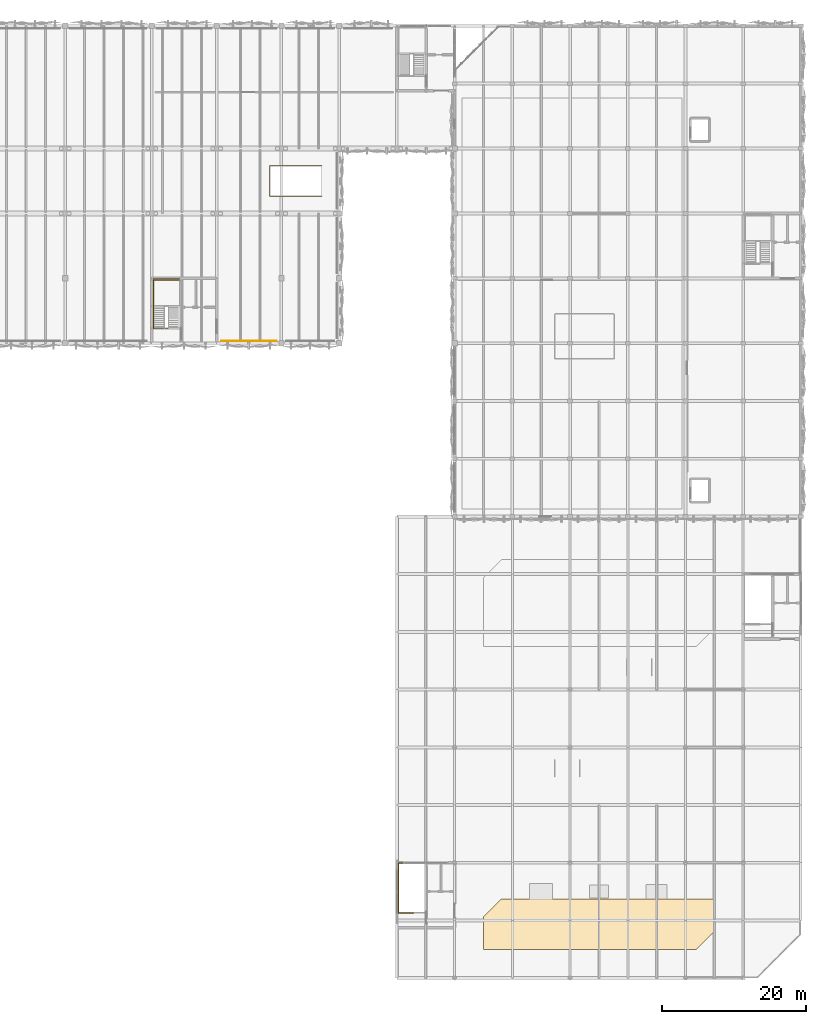
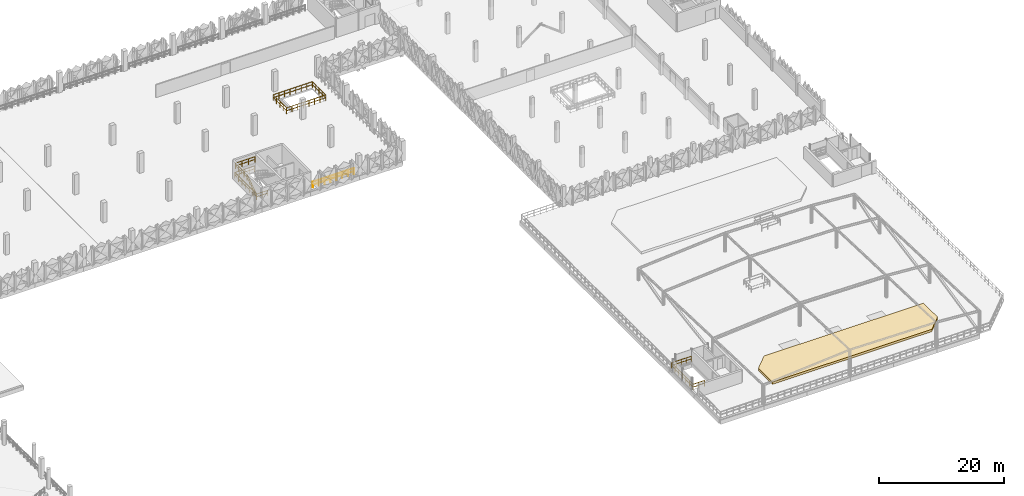
# One storey, part 70 of 76: 5 railings, 1 covering.
"""IFC4 building model written with IfcOpenShell, lengths in metres."""

import ifcopenshell
import ifcopenshell.guid

model = None  # the IFC model being written
_history = None  # IfcOwnerHistory: only IFC2X3 demands one
_inside = {}  # id of a spatial element -> (the spatial element, [elements in it])
_under = {}  # id of a project, library or spatial element -> (it, [spatial elements below it])
_declared = {}  # id of a project -> (the project, [libraries it declares])
_typed = {}  # id of a type object -> (the type object, [elements of that type])
_made_of = {}  # id of a material, layer set ... -> (it, [elements and type objects made of it])


def new_model(schema):
    """Start an empty IFC model of exactly this schema.

    Asked for "IFC4X3", IfcOpenShell would pick the latest addendum, in which some entities
    have other attributes; the version numbers below select the first issue.
    IFC2X3 requires an IfcOwnerHistory on every rooted entity: one is made here for all.
    """
    global model, _history
    if schema == "IFC4X3":
        model = ifcopenshell.file(schema_version=(4, 3, 0, 0))
    else:
        model = ifcopenshell.file(schema=schema)
    _inside.clear()
    _under.clear()
    _declared.clear()
    _typed.clear()
    _made_of.clear()
    _history = None
    if model.schema == "IFC2X3":
        org = make("IfcOrganization", Name="unknown")
        user = make(
            "IfcPersonAndOrganization",
            ThePerson=make("IfcPerson", FamilyName="unknown"),
            TheOrganization=org,
        )
        app = make(
            "IfcApplication",
            ApplicationDeveloper=org,
            Version="unknown",
            ApplicationFullName="unknown",
            ApplicationIdentifier="unknown",
        )
        _history = make(
            "IfcOwnerHistory",
            OwningUser=user,
            OwningApplication=app,
            ChangeAction="ADDED",
            CreationDate=0,
        )
    return model


def make(cls, **values):
    """One entity of the class cls with the attributes given. An attribute that is None is left unset."""
    return model.create_entity(
        cls, **{name: value for name, value in values.items() if value is not None}
    )


def rooted(cls, **values):
    """An entity with a GlobalId (a new one), such as an element, a storey or a relation."""
    return make(cls, GlobalId=ifcopenshell.guid.new(), OwnerHistory=_history, **values)


def si_unit(unit_type, name, prefix=None):
    """IfcSIUnit, for example si_unit("LENGTHUNIT", "METRE", prefix="MILLI")."""
    return make("IfcSIUnit", UnitType=unit_type, Prefix=prefix, Name=name)


def derived_unit(unit_type, elements):
    """IfcDerivedUnit: a product of units, each with its exponent."""
    return make(
        "IfcDerivedUnit",
        Elements=[
            make("IfcDerivedUnitElement", Unit=unit, Exponent=power)
            for unit, power in elements
        ],
        UnitType=unit_type,
    )


def assignment(units):
    """IfcUnitAssignment: the units of a project."""
    return None if units is None else make("IfcUnitAssignment", Units=units)


def point(xyz):
    """IfcCartesianPoint."""
    return None if xyz is None else make("IfcCartesianPoint", Coordinates=xyz)


def direction(xyz):
    """IfcDirection."""
    return None if xyz is None else make("IfcDirection", DirectionRatios=xyz)


def frame(location, z_axis=None, x_axis=None):
    """IfcAxis2Placement3D, a coordinate frame: its origin and axes. An axis left out is left unset."""
    return make(
        "IfcAxis2Placement3D",
        Location=point(location),
        Axis=direction(z_axis),
        RefDirection=direction(x_axis),
    )


def frame_2d(location, x_axis=None):
    """IfcAxis2Placement2D, a coordinate frame in the plane: its origin and x axis."""
    return make(
        "IfcAxis2Placement2D", Location=point(location), RefDirection=direction(x_axis)
    )


def origin():
    """The frame at (0, 0, 0) with its axes left unset."""
    return frame((0.0, 0.0, 0.0))


def origin_2d():
    """The frame at (0, 0) in the plane with its x axis left unset."""
    return frame_2d((0.0, 0.0))


def place(relative_to, where):
    """IfcLocalPlacement: puts the frame where relative to a parent placement (None: the world)."""
    return make(
        "IfcLocalPlacement", PlacementRelTo=relative_to, RelativePlacement=where
    )


def context(
    kind, dimensions, precision=None, world=None, true_north=None, identifier=None
):
    """IfcGeometricRepresentationContext, for example the 3D "Model" context."""
    return make(
        "IfcGeometricRepresentationContext",
        ContextIdentifier=identifier,
        ContextType=kind,
        CoordinateSpaceDimension=dimensions,
        Precision=precision,
        WorldCoordinateSystem=world,
        TrueNorth=true_north,
    )


def subcontext(parent, identifier, kind, view, scale=None):
    """IfcGeometricRepresentationSubContext, for example "Body" below "Model"."""
    return make(
        "IfcGeometricRepresentationSubContext",
        ContextIdentifier=identifier,
        ContextType=kind,
        ParentContext=parent,
        TargetScale=scale,
        TargetView=view,
    )


def project(units=None, contexts=None):
    """IfcProject with its units and contexts."""
    return rooted(
        "IfcProject",
        Name="project",
        RepresentationContexts=contexts,
        UnitsInContext=assignment(units),
    )


def spatial(cls, under=None, at=None, **own):
    """A site, building, storey or space (cls), placed at a placement, below another one or the project."""
    s = rooted(cls, ObjectPlacement=at, **own)
    if under is not None:
        _under.setdefault(under.id(), (under, []))[1].append(s)
    return s


def polyline(points):
    """IfcPolyline through the points."""
    return make("IfcPolyline", Points=[point(p) for p in points])


def profile(cls, at=None, kind="AREA", **sizes):
    """A parametric profile (cls). Its sizes go by their IFC names, for example OverallWidth=200.0."""
    return make(cls, ProfileType=kind, Position=at, **sizes)


def circle(**sizes):
    """IfcCircleProfileDef."""
    return profile("IfcCircleProfileDef", **sizes)


def outline(outer, holes=None, kind="AREA"):
    """IfcArbitraryClosedProfileDef: a profile drawn as a closed curve; with holes, ...WithVoids."""
    if holes is None:
        return make("IfcArbitraryClosedProfileDef", ProfileType=kind, OuterCurve=outer)
    return make(
        "IfcArbitraryProfileDefWithVoids",
        ProfileType=kind,
        OuterCurve=outer,
        InnerCurves=holes,
    )


def extrude(swept, where, along, depth):
    """IfcExtrudedAreaSolid: the profile swept, set in the frame where, extruded along a direction by depth."""
    return make(
        "IfcExtrudedAreaSolid",
        SweptArea=swept,
        Position=where,
        ExtrudedDirection=direction(along),
        Depth=depth,
    )


def shape(context_of_items, identifier, shape_type, items):
    """IfcShapeRepresentation: the items that make up one representation, for example the "Body"."""
    return make(
        "IfcShapeRepresentation",
        ContextOfItems=context_of_items,
        RepresentationIdentifier=identifier,
        RepresentationType=shape_type,
        Items=items,
    )


def material(Name=None, Category=None):
    """IfcMaterial."""
    return make("IfcMaterial", Name=Name, Category=Category)


def layer(
    of_material, thickness, ventilated=None, Name=None, Category=None, Priority=None
):
    """IfcMaterialLayer: one layer of a wall or slab, of a material (None: an air gap)."""
    return make(
        "IfcMaterialLayer",
        Material=of_material,
        LayerThickness=thickness,
        IsVentilated=ventilated,
        Name=Name,
        Category=Category,
        Priority=Priority,
    )


def layer_set(layers, Name=None):
    """IfcMaterialLayerSet."""
    return make("IfcMaterialLayerSet", MaterialLayers=layers, LayerSetName=Name)


def made_of(thing, what):
    """Note that an element or type object is made of a material, layer set ...; save() writes the relation."""
    if what is not None:
        _made_of.setdefault(what.id(), (what, []))[1].append(thing)
    return thing


def type_object(cls, material=None, **own):
    """A type object (cls), such as IfcWallType, which elements share."""
    return made_of(rooted(cls, **own), material)


def element(
    cls,
    number,
    at=None,
    inside=None,
    cuts=None,
    type_object=None,
    material=None,
    context=None,
    identifier="Body",
    shape_type=None,
    held_by="IfcProductDefinitionShape",
    body=None,
    shapes=None,
    **own,
):
    """One element of the class cls, such as IfcWall. Its Tag is "e" and its number.

    at: its placement. inside: the storey or other place that contains it. cuts: it is an
    opening in that element (IfcRelVoidsElement). A single representation is given by context,
    identifier, shape_type and body (its items); several are given by shapes. held_by: the class
    of the entity that holds the representations. save() writes the other relations.
    """
    e = rooted(cls, Tag="e%d" % number, ObjectPlacement=at, **own)
    if body is not None:
        shapes = [shape(context, identifier, shape_type, body)]
    if shapes is not None:
        e.Representation = make(held_by, Representations=shapes)
    if inside is not None:
        _inside.setdefault(inside.id(), (inside, []))[1].append(e)
    if cuts is not None:
        rooted(
            "IfcRelVoidsElement", RelatingBuildingElement=cuts, RelatedOpeningElement=e
        )
    if type_object is not None:
        _typed.setdefault(type_object.id(), (type_object, []))[1].append(e)
    return made_of(e, material)


def aggregate(whole, parts):
    """IfcRelAggregates: a whole, such as a stair, and the parts it consists of."""
    return rooted("IfcRelAggregates", RelatingObject=whole, RelatedObjects=parts)


def save(model, path):
    """Write the relations noted so far, then the file.

    IfcRelAggregates (storeys below a building ...), IfcRelContainedInSpatialStructure (elements
    in a storey), IfcRelDefinesByType, IfcRelAssociatesMaterial and IfcRelDeclares: one each for
    every whole, place, type object, material and project.
    """
    for whole, parts in _under.values():
        aggregate(whole, parts)
    for where, things in _inside.values():
        rooted(
            "IfcRelContainedInSpatialStructure",
            RelatedElements=things,
            RelatingStructure=where,
        )
    for kind, things in _typed.values():
        rooted("IfcRelDefinesByType", RelatedObjects=things, RelatingType=kind)
    for what, things in _made_of.values():
        rooted("IfcRelAssociatesMaterial", RelatedObjects=things, RelatingMaterial=what)
    for by, libraries in _declared.values():
        rooted("IfcRelDeclares", RelatingContext=by, RelatedDefinitions=libraries)
    model.write(path)


model = new_model("IFC4")

# Units and contexts
model_context = context("Model", 3, precision=1e-05, world=origin(), true_north=direction((0.0, 1.0)))
body_context = subcontext(model_context, "Body", "Model", "MODEL_VIEW")
ifc_project = project(units=[si_unit("LENGTHUNIT", "METRE"), si_unit("AREAUNIT", "SQUARE_METRE"), si_unit("VOLUMEUNIT", "CUBIC_METRE"), si_unit("PLANEANGLEUNIT", "RADIAN"), si_unit("MASSUNIT", "GRAM", prefix="KILO"), si_unit("THERMODYNAMICTEMPERATUREUNIT", "KELVIN"), derived_unit("THERMALTRANSMITTANCEUNIT", [(si_unit("POWERUNIT", "WATT"), 1), (si_unit("AREAUNIT", "SQUARE_METRE"), -1), (si_unit("THERMODYNAMICTEMPERATUREUNIT", "KELVIN"), -1)])], contexts=[model_context])

# Site, building, storey
site_placement = place(None, origin())
site = spatial("IfcSite", under=ifc_project, at=site_placement, CompositionType="ELEMENT")
building_placement = place(site_placement, origin())
building = spatial("IfcBuilding", under=site, at=building_placement, Name="Haiyu Intermodal Mobility Hub", CompositionType="ELEMENT")
storey_placement = place(building_placement, frame((0.0, 0.0, 17.300048828125)))
storey = spatial("IfcBuildingStorey", under=building, at=storey_placement, Name="L04", CompositionType="ELEMENT", Elevation=17.300048828125)

# Covering
ifc_material_1 = material(Name="Acrylic sports court surfacing")
ifc_layer = layer(ifc_material_1, 0.030029296875)
ifc_layer_set = layer_set([ifc_layer], Name="Acrylic sports court surfacing")
covering_type = type_object("IfcCoveringType", Name="COV-CV07", PredefinedType="FLOORING", material=ifc_layer_set)
covering_placement = place(storey_placement, origin())
element("IfcCovering", 1, at=covering_placement, inside=storey, type_object=covering_type, Name="Sponge-City Planted Roof Garden Bed 01", PredefinedType="FLOORING", context=body_context, shape_type="SweptSolid", body=[
    extrude(outline(polyline([(166.0, 20.0), (195.5, 20.0), (198.0, 22.5), (198.0, 27.0), (168.5, 27.0), (166.0, 24.5), (166.0, 20.0)])), origin(), (0.0, 0.0, 1.0), 0.449951171875),
])

# Railings
ifc_material_2 = material(Name="Steel Q355C", Category="steel")
railing_type_1 = type_object("IfcRailingType", Name="RAL-GR01", PredefinedType="GUARDRAIL", material=ifc_material_2)
railing_1_placement = place(storey_placement, frame((129.699951171875, 104.340087890625, 0.0)))
element("IfcRailing", 2, at=railing_1_placement, inside=storey, type_object=railing_type_1, Name="RAL-CAR-S-0141", PredefinedType="GUARDRAIL", context=body_context, shape_type="SweptSolid", body=[
    extrude(circle(Radius=0.02392578125, at=origin_2d()), frame((0.030029296875, 0.0, 1.17578125), z_axis=(1.0, 0.0, 0.0), x_axis=(0.0, 1.0, 0.0)), (0.0, 0.0, 1.0), 7.5400390625),
    extrude(circle(Radius=0.02392578125, at=origin_2d()), frame((0.037353515625, 0.0, 0.60009765625), z_axis=(1.0, 0.0, 0.0), x_axis=(0.0, 1.0, 0.0)), (0.0, 0.0, 1.0), 1.01123046875),
    extrude(circle(Radius=0.02392578125, at=origin_2d()), frame((1.123046875, 0.0, 0.60009765625), z_axis=(1.0, 0.0, 0.0), x_axis=(0.0, 1.0, 0.0)), (0.0, 0.0, 1.0), 1.01123046875),
    extrude(circle(Radius=0.02392578125, at=origin_2d()), frame((2.208740234375, 0.0, 0.60009765625), z_axis=(1.0, 0.0, 0.0), x_axis=(0.0, 1.0, 0.0)), (0.0, 0.0, 1.0), 1.01123046875),
    extrude(circle(Radius=0.02392578125, at=origin_2d()), frame((3.29443359375, 0.0, 0.60009765625), z_axis=(1.0, 0.0, 0.0), x_axis=(0.0, 1.0, 0.0)), (0.0, 0.0, 1.0), 1.01123046875),
    extrude(circle(Radius=0.02392578125, at=origin_2d()), frame((4.380126953125, 0.0, 0.60009765625), z_axis=(1.0, 0.0, 0.0), x_axis=(0.0, 1.0, 0.0)), (0.0, 0.0, 1.0), 1.01123046875),
    extrude(circle(Radius=0.02392578125, at=origin_2d()), frame((5.4658203125, 0.0, 0.60009765625), z_axis=(1.0, 0.0, 0.0), x_axis=(0.0, 1.0, 0.0)), (0.0, 0.0, 1.0), 1.01123046875),
    extrude(circle(Radius=0.02392578125, at=origin_2d()), frame((6.5517578125, 0.0, 0.60009765625), z_axis=(1.0, 0.0, 0.0), x_axis=(0.0, 1.0, 0.0)), (0.0, 0.0, 1.0), 1.01123046875),
    extrude(circle(Radius=0.02099609375, at=origin_2d()), origin(), (0.0, 0.0, 1.0), 1.143798828125),
    extrude(circle(Radius=0.02099609375, at=origin_2d()), frame((1.085693359375, 0.0, 0.0)), (0.0, 0.0, 1.0), 1.143798828125),
    extrude(circle(Radius=0.02099609375, at=origin_2d()), frame((2.17138671875, 0.0, 0.0)), (0.0, 0.0, 1.0), 1.143798828125),
    extrude(circle(Radius=0.02099609375, at=origin_2d()), frame((3.257080078125, 0.0, 0.0)), (0.0, 0.0, 1.0), 1.143798828125),
    extrude(circle(Radius=0.02099609375, at=origin_2d()), frame((4.343017578125, 0.0, 0.0)), (0.0, 0.0, 1.0), 1.143798828125),
    extrude(circle(Radius=0.02099609375, at=origin_2d()), frame((5.4287109375, 0.0, 0.0)), (0.0, 0.0, 1.0), 1.143798828125),
    extrude(circle(Radius=0.02099609375, at=origin_2d()), frame((6.514404296875, 0.0, 0.0)), (0.0, 0.0, 1.0), 1.143798828125),
    extrude(circle(Radius=0.02099609375, at=origin_2d()), frame((7.60009765625, 0.0, 0.0)), (0.0, 0.0, 1.0), 1.143798828125),
])
railing_2_placement = place(storey_placement, frame((136.3798828125, 124.3798828125, 0.0)))
element("IfcRailing", 3, at=railing_2_placement, inside=storey, type_object=railing_type_1, Name="RAL-V4VOID-L04-E", PredefinedType="GUARDRAIL", context=body_context, shape_type="SweptSolid", body=[
    extrude(circle(Radius=0.02392578125, at=origin_2d()), frame((0.030029296875, 0.0, 1.15576171875), z_axis=(1.0, 0.0, 0.0), x_axis=(0.0, 1.0, 0.0)), (0.0, 0.0, 1.0), 7.18017578125),
    extrude(circle(Radius=0.02392578125, at=origin_2d()), frame((0.037353515625, 0.0, 0.58984375), z_axis=(1.0, 0.0, 0.0), x_axis=(0.0, 1.0, 0.0)), (0.0, 0.0, 1.0), 0.959716796875),
    extrude(circle(Radius=0.02392578125, at=origin_2d()), frame((1.071533203125, 0.0, 0.58984375), z_axis=(1.0, 0.0, 0.0), x_axis=(0.0, 1.0, 0.0)), (0.0, 0.0, 1.0), 0.959716796875),
    extrude(circle(Radius=0.02392578125, at=origin_2d()), frame((2.10595703125, 0.0, 0.58984375), z_axis=(1.0, 0.0, 0.0), x_axis=(0.0, 1.0, 0.0)), (0.0, 0.0, 1.0), 0.959716796875),
    extrude(circle(Radius=0.02392578125, at=origin_2d()), frame((3.14013671875, 0.0, 0.58984375), z_axis=(1.0, 0.0, 0.0), x_axis=(0.0, 1.0, 0.0)), (0.0, 0.0, 1.0), 0.959716796875),
    extrude(circle(Radius=0.02392578125, at=origin_2d()), frame((4.174560546875, 0.0, 0.58984375), z_axis=(1.0, 0.0, 0.0), x_axis=(0.0, 1.0, 0.0)), (0.0, 0.0, 1.0), 0.959716796875),
    extrude(circle(Radius=0.02392578125, at=origin_2d()), frame((5.208984375, 0.0, 0.58984375), z_axis=(1.0, 0.0, 0.0), x_axis=(0.0, 1.0, 0.0)), (0.0, 0.0, 1.0), 0.959716796875),
    extrude(circle(Radius=0.02392578125, at=origin_2d()), frame((6.2431640625, 0.0, 0.58984375), z_axis=(1.0, 0.0, 0.0), x_axis=(0.0, 1.0, 0.0)), (0.0, 0.0, 1.0), 0.959716796875),
    extrude(circle(Radius=0.02392578125, at=origin_2d()), frame((7.240234375, 0.030029296875, 1.15576171875), z_axis=(0.0, 1.0, 0.0), x_axis=(-1.0, 0.0, 0.0)), (0.0, 0.0, 1.0), 4.18017578125),
    extrude(circle(Radius=0.02392578125, at=origin_2d()), frame((7.240234375, 0.037353515625, 0.58984375), z_axis=(0.0, 1.0, 0.0), x_axis=(-1.0, 0.0, 0.0)), (0.0, 0.0, 1.0), 0.9853515625),
    extrude(circle(Radius=0.02392578125, at=origin_2d()), frame((7.240234375, 1.097412109375, 0.58984375), z_axis=(0.0, 1.0, 0.0), x_axis=(-1.0, 0.0, 0.0)), (0.0, 0.0, 1.0), 0.9853515625),
    extrude(circle(Radius=0.02392578125, at=origin_2d()), frame((7.240234375, 2.157470703125, 0.58984375), z_axis=(0.0, 1.0, 0.0), x_axis=(-1.0, 0.0, 0.0)), (0.0, 0.0, 1.0), 0.9853515625),
    extrude(circle(Radius=0.02392578125, at=origin_2d()), frame((7.240234375, 3.217529296875, 0.58984375), z_axis=(0.0, 1.0, 0.0), x_axis=(-1.0, 0.0, 0.0)), (0.0, 0.0, 1.0), 0.9853515625),
    extrude(circle(Radius=0.02392578125, at=origin_2d()), frame((7.210205078125, 4.240234375, 1.15576171875), z_axis=(-1.0, 0.0, 0.0), x_axis=(0.0, -1.0, 0.0)), (0.0, 0.0, 1.0), 7.18017578125),
    extrude(circle(Radius=0.02392578125, at=origin_2d()), frame((7.202880859375, 4.240234375, 0.58984375), z_axis=(-1.0, 0.0, 0.0), x_axis=(0.0, -1.0, 0.0)), (0.0, 0.0, 1.0), 0.959716796875),
    extrude(circle(Radius=0.02392578125, at=origin_2d()), frame((6.168701171875, 4.240234375, 0.58984375), z_axis=(-1.0, 0.0, 0.0), x_axis=(0.0, -1.0, 0.0)), (0.0, 0.0, 1.0), 0.959716796875),
    extrude(circle(Radius=0.02392578125, at=origin_2d()), frame((5.13427734375, 4.240234375, 0.58984375), z_axis=(-1.0, 0.0, 0.0), x_axis=(0.0, -1.0, 0.0)), (0.0, 0.0, 1.0), 0.959716796875),
    extrude(circle(Radius=0.02392578125, at=origin_2d()), frame((4.10009765625, 4.240234375, 0.58984375), z_axis=(-1.0, 0.0, 0.0), x_axis=(0.0, -1.0, 0.0)), (0.0, 0.0, 1.0), 0.959716796875),
    extrude(circle(Radius=0.02392578125, at=origin_2d()), frame((3.065673828125, 4.240234375, 0.58984375), z_axis=(-1.0, 0.0, 0.0), x_axis=(0.0, -1.0, 0.0)), (0.0, 0.0, 1.0), 0.959716796875),
    extrude(circle(Radius=0.02392578125, at=origin_2d()), frame((2.03125, 4.240234375, 0.58984375), z_axis=(-1.0, 0.0, 0.0), x_axis=(0.0, -1.0, 0.0)), (0.0, 0.0, 1.0), 0.959716796875),
    extrude(circle(Radius=0.02392578125, at=origin_2d()), frame((0.9970703125, 4.240234375, 0.58984375), z_axis=(-1.0, 0.0, 0.0), x_axis=(0.0, -1.0, 0.0)), (0.0, 0.0, 1.0), 0.959716796875),
    extrude(circle(Radius=0.02392578125, at=origin_2d()), frame((0.0, 4.210205078125, 1.15576171875), z_axis=(0.0, -1.0, 0.0), x_axis=(1.0, 0.0, 0.0)), (0.0, 0.0, 1.0), 4.18017578125),
    extrude(circle(Radius=0.02392578125, at=origin_2d()), frame((0.0, 4.202880859375, 0.58984375), z_axis=(0.0, -1.0, 0.0), x_axis=(1.0, 0.0, 0.0)), (0.0, 0.0, 1.0), 0.9853515625),
    extrude(circle(Radius=0.02392578125, at=origin_2d()), frame((0.0, 3.142822265625, 0.58984375), z_axis=(0.0, -1.0, 0.0), x_axis=(1.0, 0.0, 0.0)), (0.0, 0.0, 1.0), 0.9853515625),
    extrude(circle(Radius=0.02392578125, at=origin_2d()), frame((0.0, 2.082763671875, 0.58984375), z_axis=(0.0, -1.0, 0.0), x_axis=(1.0, 0.0, 0.0)), (0.0, 0.0, 1.0), 0.9853515625),
    extrude(circle(Radius=0.02392578125, at=origin_2d()), frame((0.0, 1.022705078125, 0.58984375), z_axis=(0.0, -1.0, 0.0), x_axis=(1.0, 0.0, 0.0)), (0.0, 0.0, 1.0), 0.9853515625),
    extrude(circle(Radius=0.02099609375, at=origin_2d()), origin(), (0.0, 0.0, 1.0), 1.123779296875),
    extrude(circle(Radius=0.02099609375, at=origin_2d()), frame((1.034423828125, 0.0, 0.0)), (0.0, 0.0, 1.0), 1.123779296875),
    extrude(circle(Radius=0.02099609375, at=origin_2d()), frame((2.068603515625, 0.0, 0.0)), (0.0, 0.0, 1.0), 1.123779296875),
    extrude(circle(Radius=0.02099609375, at=origin_2d()), frame((3.10302734375, 0.0, 0.0)), (0.0, 0.0, 1.0), 1.123779296875),
    extrude(circle(Radius=0.02099609375, at=origin_2d()), frame((4.13720703125, 0.0, 0.0)), (0.0, 0.0, 1.0), 1.123779296875),
    extrude(circle(Radius=0.02099609375, at=origin_2d()), frame((5.171630859375, 0.0, 0.0)), (0.0, 0.0, 1.0), 1.123779296875),
    extrude(circle(Radius=0.02099609375, at=origin_2d()), frame((6.205810546875, 0.0, 0.0)), (0.0, 0.0, 1.0), 1.123779296875),
    extrude(circle(Radius=0.02099609375, at=origin_2d()), frame((7.240234375, 0.0, 0.0)), (0.0, 0.0, 1.0), 1.123779296875),
    extrude(circle(Radius=0.02099609375, at=origin_2d()), frame((7.240234375, 1.06005859375, 0.0)), (0.0, 0.0, 1.0), 1.123779296875),
    extrude(circle(Radius=0.02099609375, at=origin_2d()), frame((7.240234375, 2.1201171875, 0.0)), (0.0, 0.0, 1.0), 1.123779296875),
    extrude(circle(Radius=0.02099609375, at=origin_2d()), frame((7.240234375, 3.18017578125, 0.0)), (0.0, 0.0, 1.0), 1.123779296875),
    extrude(circle(Radius=0.02099609375, at=origin_2d()), frame((7.240234375, 4.240234375, 0.0)), (0.0, 0.0, 1.0), 1.123779296875),
    extrude(circle(Radius=0.02099609375, at=origin_2d()), frame((6.205810546875, 4.240234375, 0.0)), (0.0, 0.0, 1.0), 1.123779296875),
    extrude(circle(Radius=0.02099609375, at=origin_2d()), frame((5.171630859375, 4.240234375, 0.0)), (0.0, 0.0, 1.0), 1.123779296875),
    extrude(circle(Radius=0.02099609375, at=origin_2d()), frame((4.13720703125, 4.240234375, 0.0)), (0.0, 0.0, 1.0), 1.123779296875),
    extrude(circle(Radius=0.02099609375, at=origin_2d()), frame((3.10302734375, 4.240234375, 0.0)), (0.0, 0.0, 1.0), 1.123779296875),
    extrude(circle(Radius=0.02099609375, at=origin_2d()), frame((2.068603515625, 4.240234375, 0.0)), (0.0, 0.0, 1.0), 1.123779296875),
    extrude(circle(Radius=0.02099609375, at=origin_2d()), frame((1.034423828125, 4.240234375, 0.0)), (0.0, 0.0, 1.0), 1.123779296875),
    extrude(circle(Radius=0.02099609375, at=origin_2d()), frame((0.0, 4.240234375, 0.0)), (0.0, 0.0, 1.0), 1.123779296875),
    extrude(circle(Radius=0.02099609375, at=origin_2d()), frame((0.0, 3.18017578125, 0.0)), (0.0, 0.0, 1.0), 1.123779296875),
    extrude(circle(Radius=0.02099609375, at=origin_2d()), frame((0.0, 2.1201171875, 0.0)), (0.0, 0.0, 1.0), 1.123779296875),
    extrude(circle(Radius=0.02099609375, at=origin_2d()), frame((0.0, 1.06005859375, 0.0)), (0.0, 0.0, 1.0), 1.123779296875),
])
railing_type_2 = type_object("IfcRailingType", Name="RAL-GR03", PredefinedType="GUARDRAIL", material=ifc_material_2)
railing_3_placement = place(storey_placement, frame((122.31005859375, 106.010009765625, 0.0)))
element("IfcRailing", 4, at=railing_3_placement, inside=storey, type_object=railing_type_2, Name="Stair Shaft Floor Guard STR-C6-L03", PredefinedType="GUARDRAIL", context=body_context, shape_type="SweptSolid", body=[
    extrude(circle(Radius=0.02392578125, at=origin_2d()), frame((-0.030029296875, 0.0, 1.09619140625), z_axis=(-1.0, 0.0, 0.0), x_axis=(0.0, -1.0, 0.0)), (0.0, 0.0, 1.0), 2.030029296875),
    extrude(circle(Radius=0.02392578125, at=origin_2d()), frame((-0.037353515625, 0.0, 0.56005859375), z_axis=(-1.0, 0.0, 0.0), x_axis=(0.0, -1.0, 0.0)), (0.0, 0.0, 1.0), 0.970458984375),
    extrude(circle(Radius=0.02392578125, at=origin_2d()), frame((-1.082275390625, 0.0, 0.56005859375), z_axis=(-1.0, 0.0, 0.0), x_axis=(0.0, -1.0, 0.0)), (0.0, 0.0, 1.0), 0.970458984375),
    extrude(circle(Radius=0.02392578125, at=origin_2d()), frame((-2.090087890625, 0.030029296875, 1.09619140625), z_axis=(0.0, 1.0, 0.0), x_axis=(-1.0, 0.0, 0.0)), (0.0, 0.0, 1.0), 6.8798828125),
    extrude(circle(Radius=0.02392578125, at=origin_2d()), frame((-2.090087890625, 0.037353515625, 0.56005859375), z_axis=(0.0, 1.0, 0.0), x_axis=(-1.0, 0.0, 0.0)), (0.0, 0.0, 1.0), 1.08203125),
    extrude(circle(Radius=0.02392578125, at=origin_2d()), frame((-2.090087890625, 1.19384765625, 0.56005859375), z_axis=(0.0, 1.0, 0.0), x_axis=(-1.0, 0.0, 0.0)), (0.0, 0.0, 1.0), 1.08203125),
    extrude(circle(Radius=0.02392578125, at=origin_2d()), frame((-2.090087890625, 2.3505859375, 0.56005859375), z_axis=(0.0, 1.0, 0.0), x_axis=(-1.0, 0.0, 0.0)), (0.0, 0.0, 1.0), 1.08203125),
    extrude(circle(Radius=0.02392578125, at=origin_2d()), frame((-2.090087890625, 3.50732421875, 0.56005859375), z_axis=(0.0, 1.0, 0.0), x_axis=(-1.0, 0.0, 0.0)), (0.0, 0.0, 1.0), 1.08203125),
    extrude(circle(Radius=0.02392578125, at=origin_2d()), frame((-2.090087890625, 4.663818359375, 0.56005859375), z_axis=(0.0, 1.0, 0.0), x_axis=(-1.0, 0.0, 0.0)), (0.0, 0.0, 1.0), 1.08203125),
    extrude(circle(Radius=0.02392578125, at=origin_2d()), frame((-2.090087890625, 5.820556640625, 0.56005859375), z_axis=(0.0, 1.0, 0.0), x_axis=(-1.0, 0.0, 0.0)), (0.0, 0.0, 1.0), 1.08203125),
    extrude(circle(Radius=0.02392578125, at=origin_2d()), frame((-2.06005859375, 6.93994140625, 1.09619140625), z_axis=(1.0, 0.0, 0.0), x_axis=(0.0, 1.0, 0.0)), (0.0, 0.0, 1.0), 3.590087890625),
    extrude(circle(Radius=0.02392578125, at=origin_2d()), frame((-2.052734375, 6.93994140625, 0.56005859375), z_axis=(1.0, 0.0, 0.0), x_axis=(0.0, 1.0, 0.0)), (0.0, 0.0, 1.0), 0.837890625),
    extrude(circle(Radius=0.02392578125, at=origin_2d()), frame((-1.14013671875, 6.93994140625, 0.56005859375), z_axis=(1.0, 0.0, 0.0), x_axis=(0.0, 1.0, 0.0)), (0.0, 0.0, 1.0), 0.837890625),
    extrude(circle(Radius=0.02392578125, at=origin_2d()), frame((-0.227783203125, 6.93994140625, 0.56005859375), z_axis=(1.0, 0.0, 0.0), x_axis=(0.0, 1.0, 0.0)), (0.0, 0.0, 1.0), 0.837890625),
    extrude(circle(Radius=0.02392578125, at=origin_2d()), frame((0.684814453125, 6.93994140625, 0.56005859375), z_axis=(1.0, 0.0, 0.0), x_axis=(0.0, 1.0, 0.0)), (0.0, 0.0, 1.0), 0.837890625),
    extrude(circle(Radius=0.02099609375, at=origin_2d()), origin(), (0.0, 0.0, 1.0), 1.06396484375),
    extrude(circle(Radius=0.02099609375, at=origin_2d()), frame((-1.044921875, 0.0, 0.0)), (0.0, 0.0, 1.0), 1.06396484375),
    extrude(circle(Radius=0.02099609375, at=origin_2d()), frame((-2.090087890625, 0.0, 0.0)), (0.0, 0.0, 1.0), 1.06396484375),
    extrude(circle(Radius=0.02099609375, at=origin_2d()), frame((-2.090087890625, 1.15673828125, 0.0)), (0.0, 0.0, 1.0), 1.06396484375),
    extrude(circle(Radius=0.02099609375, at=origin_2d()), frame((-2.090087890625, 2.313232421875, 0.0)), (0.0, 0.0, 1.0), 1.06396484375),
    extrude(circle(Radius=0.02099609375, at=origin_2d()), frame((-2.090087890625, 3.469970703125, 0.0)), (0.0, 0.0, 1.0), 1.06396484375),
    extrude(circle(Radius=0.02099609375, at=origin_2d()), frame((-2.090087890625, 4.626708984375, 0.0)), (0.0, 0.0, 1.0), 1.06396484375),
    extrude(circle(Radius=0.02099609375, at=origin_2d()), frame((-2.090087890625, 5.783203125, 0.0)), (0.0, 0.0, 1.0), 1.06396484375),
    extrude(circle(Radius=0.02099609375, at=origin_2d()), frame((-2.090087890625, 6.93994140625, 0.0)), (0.0, 0.0, 1.0), 1.06396484375),
    extrude(circle(Radius=0.02099609375, at=origin_2d()), frame((-1.177490234375, 6.93994140625, 0.0)), (0.0, 0.0, 1.0), 1.06396484375),
    extrude(circle(Radius=0.02099609375, at=origin_2d()), frame((-0.26513671875, 6.93994140625, 0.0)), (0.0, 0.0, 1.0), 1.06396484375),
    extrude(circle(Radius=0.02099609375, at=origin_2d()), frame((0.6474609375, 6.93994140625, 0.0)), (0.0, 0.0, 1.0), 1.06396484375),
    extrude(circle(Radius=0.02099609375, at=origin_2d()), frame((1.56005859375, 6.93994140625, 0.0)), (0.0, 0.0, 1.0), 1.06396484375),
])
railing_4_placement = place(storey_placement, frame((120.25, 106.050048828125, 0.0)))
element("IfcRailing", 5, at=railing_4_placement, inside=storey, type_object=railing_type_2, Name="Stair Outer Guard STR-C6-L04", PredefinedType="GUARDRAIL", context=body_context, shape_type="SweptSolid", body=[
    extrude(circle(Radius=0.02392578125, at=origin_2d()), frame((0.0, 0.025390625, 1.112060546875), z_axis=(0.0, 0.844894753029, 0.534932571736), x_axis=(-1.0, 0.0, 0.0)), (0.0, 0.0, 1.0), 3.585205078125),
    extrude(circle(Radius=0.02392578125, at=origin_2d()), frame((0.0, 0.031494140625, 0.580078125), z_axis=(0.0, 0.844894753029, 0.534932571736), x_axis=(-1.0, 0.0, 0.0)), (0.0, 0.0, 1.0), 0.836669921875),
    extrude(circle(Radius=0.02392578125, at=origin_2d()), frame((0.0, 0.801513671875, 1.0673828125), z_axis=(0.0, 0.844894753029, 0.534932571736), x_axis=(-1.0, 0.0, 0.0)), (0.0, 0.0, 1.0), 0.836669921875),
    extrude(circle(Radius=0.02392578125, at=origin_2d()), frame((0.0, 1.571533203125, 1.554931640625), z_axis=(0.0, 0.844894753029, 0.534932571736), x_axis=(-1.0, 0.0, 0.0)), (0.0, 0.0, 1.0), 0.836669921875),
    extrude(circle(Radius=0.02392578125, at=origin_2d()), frame((0.0, 2.34130859375, 2.04248046875), z_axis=(0.0, 0.844894753029, 0.534932571736), x_axis=(-1.0, 0.0, 0.0)), (0.0, 0.0, 1.0), 0.836669921875),
    extrude(circle(Radius=0.02392578125, at=origin_2d()), frame((0.0, 3.10986328125, 3.0458984375), z_axis=(0.0, 1.0, 0.0), x_axis=(-1.0, 0.0, 0.0)), (0.0, 0.0, 1.0), 3.570068359375),
    extrude(circle(Radius=0.02392578125, at=origin_2d()), frame((0.0, 3.1171875, 2.510009765625), z_axis=(0.0, 1.0, 0.0), x_axis=(-1.0, 0.0, 0.0)), (0.0, 0.0, 1.0), 0.8330078125),
    extrude(circle(Radius=0.02392578125, at=origin_2d()), frame((0.0, 4.024658203125, 2.510009765625), z_axis=(0.0, 1.0, 0.0), x_axis=(-1.0, 0.0, 0.0)), (0.0, 0.0, 1.0), 0.8330078125),
    extrude(circle(Radius=0.02392578125, at=origin_2d()), frame((0.0, 4.93212890625, 2.510009765625), z_axis=(0.0, 1.0, 0.0), x_axis=(-1.0, 0.0, 0.0)), (0.0, 0.0, 1.0), 0.8330078125),
    extrude(circle(Radius=0.02392578125, at=origin_2d()), frame((0.0, 5.83984375, 2.510009765625), z_axis=(0.0, 1.0, 0.0), x_axis=(-1.0, 0.0, 0.0)), (0.0, 0.0, 1.0), 0.8330078125),
    extrude(circle(Radius=0.02392578125, at=origin_2d()), frame((0.030029296875, 6.7099609375, 3.0458984375), z_axis=(1.0, 0.0, 0.0), x_axis=(0.0, 1.0, 0.0)), (0.0, 0.0, 1.0), 3.52001953125),
    extrude(circle(Radius=0.02392578125, at=origin_2d()), frame((0.037353515625, 6.7099609375, 2.510009765625), z_axis=(1.0, 0.0, 0.0), x_axis=(0.0, 1.0, 0.0)), (0.0, 0.0, 1.0), 1.11865234375),
    extrude(circle(Radius=0.02392578125, at=origin_2d()), frame((1.230712890625, 6.7099609375, 2.510009765625), z_axis=(1.0, 0.0, 0.0), x_axis=(0.0, 1.0, 0.0)), (0.0, 0.0, 1.0), 1.11865234375),
    extrude(circle(Radius=0.02392578125, at=origin_2d()), frame((2.424072265625, 6.7099609375, 2.510009765625), z_axis=(1.0, 0.0, 0.0), x_axis=(0.0, 1.0, 0.0)), (0.0, 0.0, 1.0), 1.11865234375),
    extrude(circle(Radius=0.02099609375, at=origin_2d()), origin(), (0.0, 0.0, 1.0), 1.06396484375),
    extrude(circle(Radius=0.02099609375, at=origin_2d()), frame((0.0, 0.77001953125, 0.487548828125)), (0.0, 0.0, 1.0), 1.06396484375),
    extrude(circle(Radius=0.02099609375, at=origin_2d()), frame((0.0, 1.5400390625, 0.97509765625)), (0.0, 0.0, 1.0), 1.06396484375),
    extrude(circle(Radius=0.02099609375, at=origin_2d()), frame((0.0, 2.309814453125, 1.46240234375)), (0.0, 0.0, 1.0), 1.06396484375),
    extrude(circle(Radius=0.02099609375, at=origin_2d()), frame((0.0, 3.079833984375, 1.949951171875)), (0.0, 0.0, 1.0), 1.06396484375),
    extrude(circle(Radius=0.02099609375, at=origin_2d()), frame((0.0, 3.9873046875, 1.949951171875)), (0.0, 0.0, 1.0), 1.06396484375),
    extrude(circle(Radius=0.02099609375, at=origin_2d()), frame((0.0, 4.89501953125, 1.949951171875)), (0.0, 0.0, 1.0), 1.06396484375),
    extrude(circle(Radius=0.02099609375, at=origin_2d()), frame((0.0, 5.802490234375, 1.949951171875)), (0.0, 0.0, 1.0), 1.06396484375),
    extrude(circle(Radius=0.02099609375, at=origin_2d()), frame((0.0, 6.7099609375, 1.949951171875)), (0.0, 0.0, 1.0), 1.06396484375),
    extrude(circle(Radius=0.02099609375, at=origin_2d()), frame((1.193359375, 6.7099609375, 1.949951171875)), (0.0, 0.0, 1.0), 1.06396484375),
    extrude(circle(Radius=0.02099609375, at=origin_2d()), frame((2.38671875, 6.7099609375, 1.949951171875)), (0.0, 0.0, 1.0), 1.06396484375),
    extrude(circle(Radius=0.02099609375, at=origin_2d()), frame((3.580078125, 6.7099609375, 1.949951171875)), (0.0, 0.0, 1.0), 1.06396484375),
])
railing_5_placement = place(storey_placement, frame((156.31005859375, 25.010009765625, 0.0)))
element("IfcRailing", 6, at=railing_5_placement, inside=storey, type_object=railing_type_2, Name="Stair Shaft Floor Guard STR-C8-L03", PredefinedType="GUARDRAIL", context=body_context, shape_type="SweptSolid", body=[
    extrude(circle(Radius=0.02392578125, at=origin_2d()), frame((-0.030029296875, 0.0, 1.09619140625), z_axis=(-1.0, 0.0, 0.0), x_axis=(0.0, -1.0, 0.0)), (0.0, 0.0, 1.0), 2.030029296875),
    extrude(circle(Radius=0.02392578125, at=origin_2d()), frame((-0.037353515625, 0.0, 0.56005859375), z_axis=(-1.0, 0.0, 0.0), x_axis=(0.0, -1.0, 0.0)), (0.0, 0.0, 1.0), 0.970458984375),
    extrude(circle(Radius=0.02392578125, at=origin_2d()), frame((-1.082275390625, 0.0, 0.56005859375), z_axis=(-1.0, 0.0, 0.0), x_axis=(0.0, -1.0, 0.0)), (0.0, 0.0, 1.0), 0.970458984375),
    extrude(circle(Radius=0.02392578125, at=origin_2d()), frame((-2.090087890625, 0.030029296875, 1.09619140625), z_axis=(0.0, 1.0, 0.0), x_axis=(-1.0, 0.0, 0.0)), (0.0, 0.0, 1.0), 6.8798828125),
    extrude(circle(Radius=0.02392578125, at=origin_2d()), frame((-2.090087890625, 0.037353515625, 0.56005859375), z_axis=(0.0, 1.0, 0.0), x_axis=(-1.0, 0.0, 0.0)), (0.0, 0.0, 1.0), 1.08203125),
    extrude(circle(Radius=0.02392578125, at=origin_2d()), frame((-2.090087890625, 1.19384765625, 0.56005859375), z_axis=(0.0, 1.0, 0.0), x_axis=(-1.0, 0.0, 0.0)), (0.0, 0.0, 1.0), 1.08203125),
    extrude(circle(Radius=0.02392578125, at=origin_2d()), frame((-2.090087890625, 2.3505859375, 0.56005859375), z_axis=(0.0, 1.0, 0.0), x_axis=(-1.0, 0.0, 0.0)), (0.0, 0.0, 1.0), 1.08203125),
    extrude(circle(Radius=0.02392578125, at=origin_2d()), frame((-2.090087890625, 3.50732421875, 0.56005859375), z_axis=(0.0, 1.0, 0.0), x_axis=(-1.0, 0.0, 0.0)), (0.0, 0.0, 1.0), 1.08203125),
    extrude(circle(Radius=0.02392578125, at=origin_2d()), frame((-2.090087890625, 4.663818359375, 0.56005859375), z_axis=(0.0, 1.0, 0.0), x_axis=(-1.0, 0.0, 0.0)), (0.0, 0.0, 1.0), 1.08203125),
    extrude(circle(Radius=0.02392578125, at=origin_2d()), frame((-2.090087890625, 5.820556640625, 0.56005859375), z_axis=(0.0, 1.0, 0.0), x_axis=(-1.0, 0.0, 0.0)), (0.0, 0.0, 1.0), 1.08203125),
    extrude(circle(Radius=0.02392578125, at=origin_2d()), frame((-2.06005859375, 6.93994140625, 1.09619140625), z_axis=(1.0, 0.0, 0.0), x_axis=(0.0, 1.0, 0.0)), (0.0, 0.0, 1.0), 3.590087890625),
    extrude(circle(Radius=0.02392578125, at=origin_2d()), frame((-2.052734375, 6.93994140625, 0.56005859375), z_axis=(1.0, 0.0, 0.0), x_axis=(0.0, 1.0, 0.0)), (0.0, 0.0, 1.0), 0.837890625),
    extrude(circle(Radius=0.02392578125, at=origin_2d()), frame((-1.14013671875, 6.93994140625, 0.56005859375), z_axis=(1.0, 0.0, 0.0), x_axis=(0.0, 1.0, 0.0)), (0.0, 0.0, 1.0), 0.837890625),
    extrude(circle(Radius=0.02392578125, at=origin_2d()), frame((-0.227783203125, 6.93994140625, 0.56005859375), z_axis=(1.0, 0.0, 0.0), x_axis=(0.0, 1.0, 0.0)), (0.0, 0.0, 1.0), 0.837890625),
    extrude(circle(Radius=0.02392578125, at=origin_2d()), frame((0.684814453125, 6.93994140625, 0.56005859375), z_axis=(1.0, 0.0, 0.0), x_axis=(0.0, 1.0, 0.0)), (0.0, 0.0, 1.0), 0.837890625),
    extrude(circle(Radius=0.02099609375, at=origin_2d()), origin(), (0.0, 0.0, 1.0), 1.06396484375),
    extrude(circle(Radius=0.02099609375, at=origin_2d()), frame((-1.044921875, 0.0, 0.0)), (0.0, 0.0, 1.0), 1.06396484375),
    extrude(circle(Radius=0.02099609375, at=origin_2d()), frame((-2.090087890625, 0.0, 0.0)), (0.0, 0.0, 1.0), 1.06396484375),
    extrude(circle(Radius=0.02099609375, at=origin_2d()), frame((-2.090087890625, 1.15673828125, 0.0)), (0.0, 0.0, 1.0), 1.06396484375),
    extrude(circle(Radius=0.02099609375, at=origin_2d()), frame((-2.090087890625, 2.313232421875, 0.0)), (0.0, 0.0, 1.0), 1.06396484375),
    extrude(circle(Radius=0.02099609375, at=origin_2d()), frame((-2.090087890625, 3.469970703125, 0.0)), (0.0, 0.0, 1.0), 1.06396484375),
    extrude(circle(Radius=0.02099609375, at=origin_2d()), frame((-2.090087890625, 4.626708984375, 0.0)), (0.0, 0.0, 1.0), 1.06396484375),
    extrude(circle(Radius=0.02099609375, at=origin_2d()), frame((-2.090087890625, 5.783203125, 0.0)), (0.0, 0.0, 1.0), 1.06396484375),
    extrude(circle(Radius=0.02099609375, at=origin_2d()), frame((-2.090087890625, 6.93994140625, 0.0)), (0.0, 0.0, 1.0), 1.06396484375),
    extrude(circle(Radius=0.02099609375, at=origin_2d()), frame((-1.177490234375, 6.93994140625, 0.0)), (0.0, 0.0, 1.0), 1.06396484375),
    extrude(circle(Radius=0.02099609375, at=origin_2d()), frame((-0.26513671875, 6.93994140625, 0.0)), (0.0, 0.0, 1.0), 1.06396484375),
    extrude(circle(Radius=0.02099609375, at=origin_2d()), frame((0.6474609375, 6.93994140625, 0.0)), (0.0, 0.0, 1.0), 1.06396484375),
    extrude(circle(Radius=0.02099609375, at=origin_2d()), frame((1.56005859375, 6.93994140625, 0.0)), (0.0, 0.0, 1.0), 1.06396484375),
])

save(model, "model.ifc")
